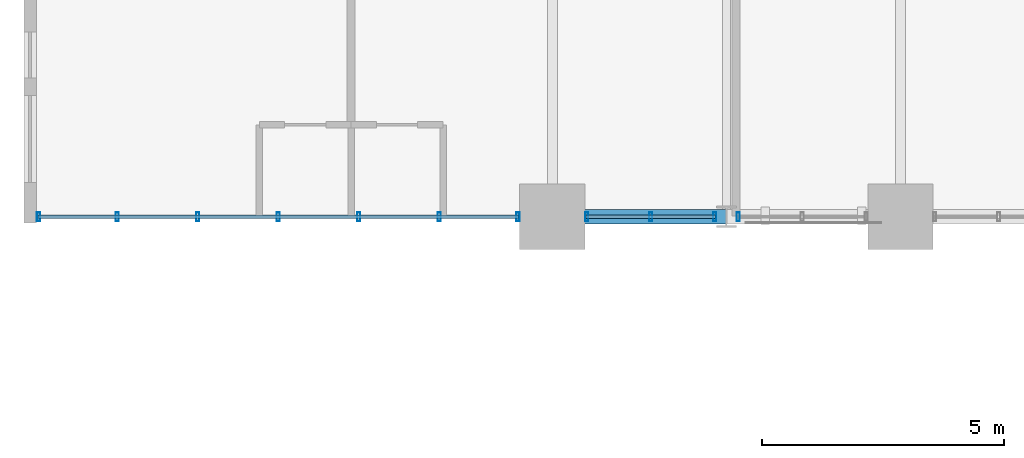
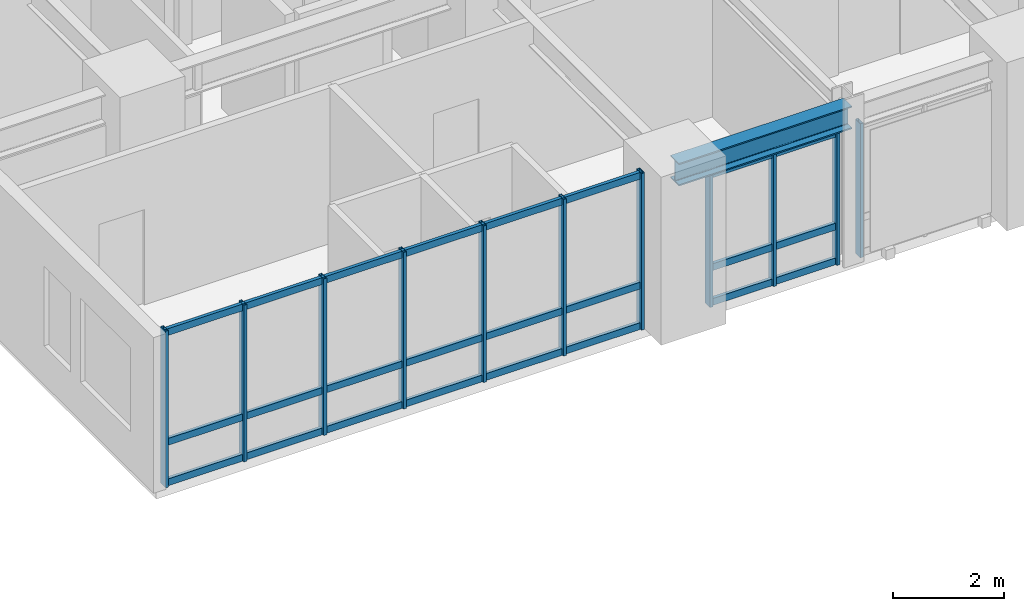
# One storey, part 2 of 16: 17 members, 1 beam, 3 elements without a shape of their own.
"""IFC4 building model written with IfcOpenShell, lengths in metres."""

import ifcopenshell
import ifcopenshell.guid

model = None  # the IFC model being written
_history = None  # IfcOwnerHistory: only IFC2X3 demands one
_inside = {}  # id of a spatial element -> (the spatial element, [elements in it])
_under = {}  # id of a project, library or spatial element -> (it, [spatial elements below it])
_declared = {}  # id of a project -> (the project, [libraries it declares])
_typed = {}  # id of a type object -> (the type object, [elements of that type])
_made_of = {}  # id of a material, layer set ... -> (it, [elements and type objects made of it])


def new_model(schema):
    """Start an empty IFC model of exactly this schema.

    Asked for "IFC4X3", IfcOpenShell would pick the latest addendum, in which some entities
    have other attributes; the version numbers below select the first issue.
    IFC2X3 requires an IfcOwnerHistory on every rooted entity: one is made here for all.
    """
    global model, _history
    if schema == "IFC4X3":
        model = ifcopenshell.file(schema_version=(4, 3, 0, 0))
    else:
        model = ifcopenshell.file(schema=schema)
    _inside.clear()
    _under.clear()
    _declared.clear()
    _typed.clear()
    _made_of.clear()
    _history = None
    if model.schema == "IFC2X3":
        org = make("IfcOrganization", Name="unknown")
        user = make(
            "IfcPersonAndOrganization",
            ThePerson=make("IfcPerson", FamilyName="unknown"),
            TheOrganization=org,
        )
        app = make(
            "IfcApplication",
            ApplicationDeveloper=org,
            Version="unknown",
            ApplicationFullName="unknown",
            ApplicationIdentifier="unknown",
        )
        _history = make(
            "IfcOwnerHistory",
            OwningUser=user,
            OwningApplication=app,
            ChangeAction="ADDED",
            CreationDate=0,
        )
    return model


def make(cls, **values):
    """One entity of the class cls with the attributes given. An attribute that is None is left unset."""
    return model.create_entity(
        cls, **{name: value for name, value in values.items() if value is not None}
    )


def rooted(cls, **values):
    """An entity with a GlobalId (a new one), such as an element, a storey or a relation."""
    return make(cls, GlobalId=ifcopenshell.guid.new(), OwnerHistory=_history, **values)


def si_unit(unit_type, name, prefix=None):
    """IfcSIUnit, for example si_unit("LENGTHUNIT", "METRE", prefix="MILLI")."""
    return make("IfcSIUnit", UnitType=unit_type, Prefix=prefix, Name=name)


def assignment(units):
    """IfcUnitAssignment: the units of a project."""
    return None if units is None else make("IfcUnitAssignment", Units=units)


def point(xyz):
    """IfcCartesianPoint."""
    return None if xyz is None else make("IfcCartesianPoint", Coordinates=xyz)


def direction(xyz):
    """IfcDirection."""
    return None if xyz is None else make("IfcDirection", DirectionRatios=xyz)


def frame(location, z_axis=None, x_axis=None):
    """IfcAxis2Placement3D, a coordinate frame: its origin and axes. An axis left out is left unset."""
    return make(
        "IfcAxis2Placement3D",
        Location=point(location),
        Axis=direction(z_axis),
        RefDirection=direction(x_axis),
    )


def frame_2d(location, x_axis=None):
    """IfcAxis2Placement2D, a coordinate frame in the plane: its origin and x axis."""
    return make(
        "IfcAxis2Placement2D", Location=point(location), RefDirection=direction(x_axis)
    )


def origin():
    """The frame at (0, 0, 0) with its axes left unset."""
    return frame((0.0, 0.0, 0.0))


def origin_2d():
    """The frame at (0, 0) in the plane with its x axis left unset."""
    return frame_2d((0.0, 0.0))


def place(relative_to, where):
    """IfcLocalPlacement: puts the frame where relative to a parent placement (None: the world)."""
    return make(
        "IfcLocalPlacement", PlacementRelTo=relative_to, RelativePlacement=where
    )


def context(
    kind, dimensions, precision=None, world=None, true_north=None, identifier=None
):
    """IfcGeometricRepresentationContext, for example the 3D "Model" context."""
    return make(
        "IfcGeometricRepresentationContext",
        ContextIdentifier=identifier,
        ContextType=kind,
        CoordinateSpaceDimension=dimensions,
        Precision=precision,
        WorldCoordinateSystem=world,
        TrueNorth=true_north,
    )


def subcontext(parent, identifier, kind, view, scale=None):
    """IfcGeometricRepresentationSubContext, for example "Body" below "Model"."""
    return make(
        "IfcGeometricRepresentationSubContext",
        ContextIdentifier=identifier,
        ContextType=kind,
        ParentContext=parent,
        TargetScale=scale,
        TargetView=view,
    )


def project(units=None, contexts=None):
    """IfcProject with its units and contexts."""
    return rooted(
        "IfcProject",
        Name="project",
        RepresentationContexts=contexts,
        UnitsInContext=assignment(units),
    )


def spatial(cls, under=None, at=None, **own):
    """A site, building, storey or space (cls), placed at a placement, below another one or the project."""
    s = rooted(cls, ObjectPlacement=at, **own)
    if under is not None:
        _under.setdefault(under.id(), (under, []))[1].append(s)
    return s


def profile(cls, at=None, kind="AREA", **sizes):
    """A parametric profile (cls). Its sizes go by their IFC names, for example OverallWidth=200.0."""
    return make(cls, ProfileType=kind, Position=at, **sizes)


def hollow_rectangle(**sizes):
    """IfcRectangleHollowProfileDef."""
    return profile("IfcRectangleHollowProfileDef", **sizes)


def i_section(**sizes):
    """IfcIShapeProfileDef."""
    return profile("IfcIShapeProfileDef", **sizes)


def extrude(swept, where, along, depth):
    """IfcExtrudedAreaSolid: the profile swept, set in the frame where, extruded along a direction by depth."""
    return make(
        "IfcExtrudedAreaSolid",
        SweptArea=swept,
        Position=where,
        ExtrudedDirection=direction(along),
        Depth=depth,
    )


def shape(context_of_items, identifier, shape_type, items):
    """IfcShapeRepresentation: the items that make up one representation, for example the "Body"."""
    return make(
        "IfcShapeRepresentation",
        ContextOfItems=context_of_items,
        RepresentationIdentifier=identifier,
        RepresentationType=shape_type,
        Items=items,
    )


def source(mapping_origin, context_of_items, identifier, shape_type, items):
    """IfcRepresentationMap: a shape defined once, which mapped items show again and again."""
    return make(
        "IfcRepresentationMap",
        MappingOrigin=mapping_origin,
        MappedRepresentation=shape(context_of_items, identifier, shape_type, items),
    )


def transform(
    local_origin,
    x_axis=None,
    y_axis=None,
    z_axis=None,
    scale=None,
    scale2=None,
    scale3=None,
    uniform=True,
):
    """IfcCartesianTransformationOperator3D, or its non-uniform kind. x_axis, y_axis, z_axis: its Axis1, 2, 3."""
    if uniform:
        return make(
            "IfcCartesianTransformationOperator3D",
            Axis1=direction(x_axis),
            Axis2=direction(y_axis),
            LocalOrigin=point(local_origin),
            Scale=scale,
            Axis3=direction(z_axis),
        )
    return make(
        "IfcCartesianTransformationOperator3DnonUniform",
        Axis1=direction(x_axis),
        Axis2=direction(y_axis),
        LocalOrigin=point(local_origin),
        Scale=scale,
        Axis3=direction(z_axis),
        Scale2=scale2,
        Scale3=scale3,
    )


def mapped(mapping_source, mapping_target):
    """IfcMappedItem: shows the shape of a source again, moved by a transform."""
    return make(
        "IfcMappedItem", MappingSource=mapping_source, MappingTarget=mapping_target
    )


def material(Name=None, Category=None):
    """IfcMaterial."""
    return make("IfcMaterial", Name=Name, Category=Category)


def layer(
    of_material, thickness, ventilated=None, Name=None, Category=None, Priority=None
):
    """IfcMaterialLayer: one layer of a wall or slab, of a material (None: an air gap)."""
    return make(
        "IfcMaterialLayer",
        Material=of_material,
        LayerThickness=thickness,
        IsVentilated=ventilated,
        Name=Name,
        Category=Category,
        Priority=Priority,
    )


def layer_set(layers, Name=None):
    """IfcMaterialLayerSet."""
    return make("IfcMaterialLayerSet", MaterialLayers=layers, LayerSetName=Name)


def material_profile(
    of_material, cross_section, Name=None, Category=None, Priority=None
):
    """IfcMaterialProfile: a cross section and its material."""
    return make(
        "IfcMaterialProfile",
        Name=Name,
        Material=of_material,
        Profile=cross_section,
        Priority=Priority,
        Category=Category,
    )


def profile_set(profiles, Name=None, composite=None):
    """IfcMaterialProfileSet."""
    return make(
        "IfcMaterialProfileSet",
        Name=Name,
        MaterialProfiles=profiles,
        CompositeProfile=composite,
    )


def made_of(thing, what):
    """Note that an element or type object is made of a material, layer set ...; save() writes the relation."""
    if what is not None:
        _made_of.setdefault(what.id(), (what, []))[1].append(thing)
    return thing


def type_object(cls, material=None, **own):
    """A type object (cls), such as IfcWallType, which elements share."""
    return made_of(rooted(cls, **own), material)


def element(
    cls,
    number,
    at=None,
    inside=None,
    cuts=None,
    type_object=None,
    material=None,
    context=None,
    identifier="Body",
    shape_type=None,
    held_by="IfcProductDefinitionShape",
    body=None,
    shapes=None,
    **own,
):
    """One element of the class cls, such as IfcWall. Its Tag is "e" and its number.

    at: its placement. inside: the storey or other place that contains it. cuts: it is an
    opening in that element (IfcRelVoidsElement). A single representation is given by context,
    identifier, shape_type and body (its items); several are given by shapes. held_by: the class
    of the entity that holds the representations. save() writes the other relations.
    """
    e = rooted(cls, Tag="e%d" % number, ObjectPlacement=at, **own)
    if body is not None:
        shapes = [shape(context, identifier, shape_type, body)]
    if shapes is not None:
        e.Representation = make(held_by, Representations=shapes)
    if inside is not None:
        _inside.setdefault(inside.id(), (inside, []))[1].append(e)
    if cuts is not None:
        rooted(
            "IfcRelVoidsElement", RelatingBuildingElement=cuts, RelatedOpeningElement=e
        )
    if type_object is not None:
        _typed.setdefault(type_object.id(), (type_object, []))[1].append(e)
    return made_of(e, material)


def aggregate(whole, parts):
    """IfcRelAggregates: a whole, such as a stair, and the parts it consists of."""
    return rooted("IfcRelAggregates", RelatingObject=whole, RelatedObjects=parts)


def save(model, path):
    """Write the relations noted so far, then the file.

    IfcRelAggregates (storeys below a building ...), IfcRelContainedInSpatialStructure (elements
    in a storey), IfcRelDefinesByType, IfcRelAssociatesMaterial and IfcRelDeclares: one each for
    every whole, place, type object, material and project.
    """
    for whole, parts in _under.values():
        aggregate(whole, parts)
    for where, things in _inside.values():
        rooted(
            "IfcRelContainedInSpatialStructure",
            RelatedElements=things,
            RelatingStructure=where,
        )
    for kind, things in _typed.values():
        rooted("IfcRelDefinesByType", RelatedObjects=things, RelatingType=kind)
    for what, things in _made_of.values():
        rooted("IfcRelAssociatesMaterial", RelatedObjects=things, RelatingMaterial=what)
    for by, libraries in _declared.values():
        rooted("IfcRelDeclares", RelatingContext=by, RelatedDefinitions=libraries)
    model.write(path)


model = new_model("IFC4")

# Units and contexts
model_context = context("Model", 3, precision=1e-05, world=origin(), true_north=direction((0.0, 1.0)))
body_context = subcontext(model_context, "Body", "Model", "MODEL_VIEW")
ifc_project = project(units=[si_unit("LENGTHUNIT", "METRE"), si_unit("AREAUNIT", "SQUARE_METRE"), si_unit("VOLUMEUNIT", "CUBIC_METRE"), si_unit("PLANEANGLEUNIT", "RADIAN"), si_unit("MASSUNIT", "GRAM", prefix="KILO")], contexts=[model_context])

# Site, building, storey
site_placement = place(None, origin())
site = spatial("IfcSite", under=ifc_project, at=site_placement, CompositionType="ELEMENT")
building_placement = place(site_placement, origin())
building = spatial("IfcBuilding", under=site, at=building_placement, Name="Kaliganga Portal Commons", CompositionType="ELEMENT")
storey_placement = place(building_placement, frame((0.0, 0.0, 29.0)))
storey = spatial("IfcBuildingStorey", under=building, at=storey_placement, Name="L06", CompositionType="ELEMENT", Elevation=29.0)

# Beam
ifc_material_1 = material(Name="Structural steel S355J2", Category="steel")
ifc_material_profile_1 = material_profile(ifc_material_1, i_section(OverallWidth=0.300048828125, OverallDepth=0.5, WebThickness=0.014404296875, FlangeThickness=0.028076171875, FilletRadius=0.027099609375, at=origin_2d()), Name="HE 500 B")
ifc_profile_set_1 = profile_set([ifc_material_profile_1], Name="Structural steel S355J2 wide-flange")
beam_type = type_object("IfcBeamType", Name="BM-SPAND-500", PredefinedType="SPANDREL", material=ifc_profile_set_1)
shared_shape_1 = source(origin(), body_context, "Body", "SweptSolid", [
    extrude(i_section(OverallWidth=0.300048828125, OverallDepth=0.5, WebThickness=0.014404296875, FlangeThickness=0.028076171875, FilletRadius=0.027099609375, at=origin_2d()), origin(), (0.0, 0.0, 1.0), 3.60009765625),
])
beam_placement = place(storey_placement, frame((14.39990234375, 21.60009765625, 3.199951171875), z_axis=(1.0, 0.0, 0.0), x_axis=(0.0, 1.0, 0.0)))
element("IfcBeam", 1, at=beam_placement, inside=storey, type_object=beam_type, Name="BM SP L06 AS 1", PredefinedType="SPANDREL", context=body_context, shape_type="MappedRepresentation", body=[
    mapped(shared_shape_1, transform((0.0, 0.0, 0.0), x_axis=(1.0, 0.0, 0.0), y_axis=(0.0, 1.0, 0.0), z_axis=(0.0, 0.0, 1.0), scale=1.0)),
])

# Curtain wall, members
ifc_material_2 = material(Name="Anodized Aluminium and Laminated Low-E Glass", Category="aluminium")
ifc_layer = layer(ifc_material_2, 0.2099609375)
ifc_layer_set = layer_set([ifc_layer], Name="Anodized Aluminium and Laminated Low-E Glass")
curtain_wall_type = type_object("IfcCurtainWallType", Name="CW-SYS-03", PredefinedType="NOTDEFINED", material=ifc_layer_set)
curtain_wall_1_placement = place(storey_placement, origin())
curtain_wall_1 = element("IfcCurtainWall", 2, at=curtain_wall_1_placement, inside=storey, type_object=curtain_wall_type, Name="CW 03 L06 P1E04S1", PredefinedType="NOTDEFINED")
ifc_material_3 = material(Name="Dark Bronze Anodized Aluminium", Category="aluminium")
ifc_material_profile_2 = material_profile(ifc_material_3, hollow_rectangle(XDim=0.06494140625, YDim=0.179931640625, WallThickness=0.00390625, at=origin_2d()), Name="ALU MULL 65x180x4")
ifc_profile_set_2 = profile_set([ifc_material_profile_2], Name="Dark Bronze Anodized Aluminium")
member_type_1 = type_object("IfcMemberType", Name="CW-MUL-180", PredefinedType="MULLION", material=ifc_profile_set_2)
shared_shape_2 = source(origin(), body_context, "Body", "SweptSolid", [
    extrude(hollow_rectangle(XDim=0.06494140625, YDim=0.179931640625, WallThickness=0.00390625, at=origin_2d()), origin(), (0.0, 0.0, 1.0), 3.449951171875),
])
member_1_placement = place(storey_placement, frame((3.77490234375, 21.60009765625, 0.0), z_axis=(0.0, 0.0, 1.0), x_axis=(1.0, 0.0, 0.0)))
member_1 = element("IfcMember", 3, at=member_1_placement, type_object=member_type_1, Name="CW:03:L06:P1E04S1 Mullion 00", PredefinedType="MULLION", context=body_context, shape_type="MappedRepresentation", body=[
    mapped(shared_shape_2, transform((0.0, 0.0, 0.0), x_axis=(1.0, 0.0, 0.0), y_axis=(0.0, 1.0, 0.0), z_axis=(0.0, 0.0, 1.0), scale=1.0)),
])
member_2_placement = place(storey_placement, frame((5.404052734375, 21.60009765625, 0.0), z_axis=(0.0, 0.0, 1.0), x_axis=(1.0, 0.0, 0.0)))
member_2 = element("IfcMember", 4, at=member_2_placement, type_object=member_type_1, Name="CW:03:L06:P1E04S1 Mullion 01", PredefinedType="MULLION", context=body_context, shape_type="MappedRepresentation", body=[
    mapped(shared_shape_2, transform((0.0, 0.0, 0.0), x_axis=(1.0, 0.0, 0.0), y_axis=(0.0, 1.0, 0.0), z_axis=(0.0, 0.0, 1.0), scale=1.0)),
])
member_3_placement = place(storey_placement, frame((7.068115234375, 21.60009765625, 0.0), z_axis=(0.0, 0.0, 1.0), x_axis=(1.0, 0.0, 0.0)))
member_3 = element("IfcMember", 5, at=member_3_placement, type_object=member_type_1, Name="CW:03:L06:P1E04S1 Mullion 02", PredefinedType="MULLION", context=body_context, shape_type="MappedRepresentation", body=[
    mapped(shared_shape_2, transform((0.0, 0.0, 0.0), x_axis=(1.0, 0.0, 0.0), y_axis=(0.0, 1.0, 0.0), z_axis=(0.0, 0.0, 1.0), scale=1.0)),
])
member_4_placement = place(storey_placement, frame((8.73193359375, 21.60009765625, 0.0), z_axis=(0.0, 0.0, 1.0), x_axis=(1.0, 0.0, 0.0)))
member_4 = element("IfcMember", 6, at=member_4_placement, type_object=member_type_1, Name="CW:03:L06:P1E04S1 Mullion 03", PredefinedType="MULLION", context=body_context, shape_type="MappedRepresentation", body=[
    mapped(shared_shape_2, transform((0.0, 0.0, 0.0), x_axis=(1.0, 0.0, 0.0), y_axis=(0.0, 1.0, 0.0), z_axis=(0.0, 0.0, 1.0), scale=1.0)),
])
member_5_placement = place(storey_placement, frame((10.39599609375, 21.60009765625, 0.0), z_axis=(0.0, 0.0, 1.0), x_axis=(1.0, 0.0, 0.0)))
member_5 = element("IfcMember", 7, at=member_5_placement, type_object=member_type_1, Name="CW:03:L06:P1E04S1 Mullion 04", PredefinedType="MULLION", context=body_context, shape_type="MappedRepresentation", body=[
    mapped(shared_shape_2, transform((0.0, 0.0, 0.0), x_axis=(1.0, 0.0, 0.0), y_axis=(0.0, 1.0, 0.0), z_axis=(0.0, 0.0, 1.0), scale=1.0)),
])
member_6_placement = place(storey_placement, frame((12.06005859375, 21.60009765625, 0.0), z_axis=(0.0, 0.0, 1.0), x_axis=(1.0, 0.0, 0.0)))
member_6 = element("IfcMember", 8, at=member_6_placement, type_object=member_type_1, Name="CW:03:L06:P1E04S1 Mullion 05", PredefinedType="MULLION", context=body_context, shape_type="MappedRepresentation", body=[
    mapped(shared_shape_2, transform((0.0, 0.0, 0.0), x_axis=(1.0, 0.0, 0.0), y_axis=(0.0, 1.0, 0.0), z_axis=(0.0, 0.0, 1.0), scale=1.0)),
])
member_7_placement = place(storey_placement, frame((13.68896484375, 21.60009765625, 0.0), z_axis=(0.0, 0.0, 1.0), x_axis=(1.0, 0.0, 0.0)))
member_7 = element("IfcMember", 9, at=member_7_placement, type_object=member_type_1, Name="CW:03:L06:P1E04S1 Mullion 06", PredefinedType="MULLION", context=body_context, shape_type="MappedRepresentation", body=[
    mapped(shared_shape_2, transform((0.0, 0.0, 0.0), x_axis=(1.0, 0.0, 0.0), y_axis=(0.0, 1.0, 0.0), z_axis=(0.0, 0.0, 1.0), scale=1.0)),
])
ifc_material_profile_3 = material_profile(ifc_material_3, hollow_rectangle(XDim=0.070068359375, YDim=0.14990234375, WallThickness=0.00341796875, at=origin_2d()), Name="ALU TRAN 70x150x3.5")
ifc_profile_set_3 = profile_set([ifc_material_profile_3], Name="Dark Bronze Anodized Aluminium")
member_type_2 = type_object("IfcMemberType", Name="CW-TRN-150", PredefinedType="USERDEFINED", material=ifc_profile_set_3)
shared_shape_3 = source(origin(), body_context, "Body", "SweptSolid", [
    extrude(hollow_rectangle(XDim=0.070068359375, YDim=0.14990234375, WallThickness=0.00341796875, at=origin_2d()), origin(), (0.0, 0.0, 1.0), 9.944091796875),
])
member_8_placement = place(storey_placement, frame((3.760009765625, 21.60009765625, 0.06005859375), z_axis=(1.0, 0.0, 0.0), x_axis=(0.0, 1.0, 0.0)))
member_8 = element("IfcMember", 10, at=member_8_placement, type_object=member_type_2, Name="CW:03:L06:P1E04S1 Transom 1", ObjectType="TRANSOM", PredefinedType="USERDEFINED", context=body_context, shape_type="MappedRepresentation", body=[
    mapped(shared_shape_3, transform((0.0, 0.0, 0.0), x_axis=(1.0, 0.0, 0.0), y_axis=(0.0, 1.0, 0.0), z_axis=(0.0, 0.0, 1.0), scale=1.0)),
])
member_9_placement = place(storey_placement, frame((3.760009765625, 21.60009765625, 0.949951171875), z_axis=(1.0, 0.0, 0.0), x_axis=(0.0, 1.0, 0.0)))
member_9 = element("IfcMember", 11, at=member_9_placement, type_object=member_type_2, Name="CW:03:L06:P1E04S1 Transom 2", ObjectType="TRANSOM", PredefinedType="USERDEFINED", context=body_context, shape_type="MappedRepresentation", body=[
    mapped(shared_shape_3, transform((0.0, 0.0, 0.0), x_axis=(1.0, 0.0, 0.0), y_axis=(0.0, 1.0, 0.0), z_axis=(0.0, 0.0, 1.0), scale=1.0)),
])
member_10_placement = place(storey_placement, frame((3.760009765625, 21.60009765625, 3.3701171875), z_axis=(1.0, 0.0, 0.0), x_axis=(0.0, 1.0, 0.0)))
member_10 = element("IfcMember", 12, at=member_10_placement, type_object=member_type_2, Name="CW:03:L06:P1E04S1 Transom 3", ObjectType="TRANSOM", PredefinedType="USERDEFINED", context=body_context, shape_type="MappedRepresentation", body=[
    mapped(shared_shape_3, transform((0.0, 0.0, 0.0), x_axis=(1.0, 0.0, 0.0), y_axis=(0.0, 1.0, 0.0), z_axis=(0.0, 0.0, 1.0), scale=1.0)),
])
aggregate(curtain_wall_1, [member_1, member_2, member_3, member_4, member_5, member_6, member_7, member_8, member_9, member_10])

curtain_wall_2_placement = place(storey_placement, origin())
curtain_wall_2 = element("IfcCurtainWall", 13, at=curtain_wall_2_placement, inside=storey, type_object=curtain_wall_type, Name="CW 03 L06 P1E04S2", PredefinedType="NOTDEFINED")
shared_shape_4 = source(origin(), body_context, "Body", "SweptSolid", [
    extrude(hollow_rectangle(XDim=0.06494140625, YDim=0.179931640625, WallThickness=0.00390625, at=origin_2d()), origin(), (0.0, 0.0, 1.0), 2.949951171875),
])
member_11_placement = place(storey_placement, frame((15.111083984375, 21.60009765625, 0.0), z_axis=(0.0, 0.0, 1.0), x_axis=(1.0, 0.0, 0.0)))
member_11 = element("IfcMember", 14, at=member_11_placement, type_object=member_type_1, Name="CW:03:L06:P1E04S2 Mullion 00", PredefinedType="MULLION", context=body_context, shape_type="MappedRepresentation", body=[
    mapped(shared_shape_4, transform((0.0, 0.0, 0.0), x_axis=(1.0, 0.0, 0.0), y_axis=(0.0, 1.0, 0.0), z_axis=(0.0, 0.0, 1.0), scale=1.0)),
])
member_12_placement = place(storey_placement, frame((16.43359375, 21.60009765625, 0.0), z_axis=(0.0, 0.0, 1.0), x_axis=(1.0, 0.0, 0.0)))
member_12 = element("IfcMember", 15, at=member_12_placement, type_object=member_type_1, Name="CW:03:L06:P1E04S2 Mullion 01", PredefinedType="MULLION", context=body_context, shape_type="MappedRepresentation", body=[
    mapped(shared_shape_4, transform((0.0, 0.0, 0.0), x_axis=(1.0, 0.0, 0.0), y_axis=(0.0, 1.0, 0.0), z_axis=(0.0, 0.0, 1.0), scale=1.0)),
])
member_13_placement = place(storey_placement, frame((17.756103515625, 21.60009765625, 0.0), z_axis=(0.0, 0.0, 1.0), x_axis=(1.0, 0.0, 0.0)))
member_13 = element("IfcMember", 16, at=member_13_placement, type_object=member_type_1, Name="CW:03:L06:P1E04S2 Mullion 02", PredefinedType="MULLION", context=body_context, shape_type="MappedRepresentation", body=[
    mapped(shared_shape_4, transform((0.0, 0.0, 0.0), x_axis=(1.0, 0.0, 0.0), y_axis=(0.0, 1.0, 0.0), z_axis=(0.0, 0.0, 1.0), scale=1.0)),
])

# Curtain wall, member
curtain_wall_3_placement = place(storey_placement, origin())
curtain_wall_3 = element("IfcCurtainWall", 17, at=curtain_wall_3_placement, inside=storey, type_object=curtain_wall_type, Name="CW 03 L06 P1E04S3", PredefinedType="NOTDEFINED")
member_14_placement = place(storey_placement, frame((18.243896484375, 21.60009765625, 0.0), z_axis=(0.0, 0.0, 1.0), x_axis=(1.0, 0.0, 0.0)))
member_14 = element("IfcMember", 18, at=member_14_placement, type_object=member_type_1, Name="CW:03:L06:P1E04S3 Mullion 00", PredefinedType="MULLION", context=body_context, shape_type="MappedRepresentation", body=[
    mapped(shared_shape_4, transform((0.0, 0.0, 0.0), x_axis=(1.0, 0.0, 0.0), y_axis=(0.0, 1.0, 0.0), z_axis=(0.0, 0.0, 1.0), scale=1.0)),
])
aggregate(curtain_wall_3, [member_14])

# Member
shared_shape_5 = source(origin(), body_context, "Body", "SweptSolid", [
    extrude(hollow_rectangle(XDim=0.070068359375, YDim=0.14990234375, WallThickness=0.00341796875, at=origin_2d()), origin(), (0.0, 0.0, 1.0), 2.675048828125),
])
member_15_placement = place(storey_placement, frame((15.095947265625, 21.60009765625, 0.06005859375), z_axis=(1.0, 0.0, 0.0), x_axis=(0.0, 1.0, 0.0)))
member_15 = element("IfcMember", 19, at=member_15_placement, type_object=member_type_2, Name="CW:03:L06:P1E04S2 Transom 1", ObjectType="TRANSOM", PredefinedType="USERDEFINED", context=body_context, shape_type="MappedRepresentation", body=[
    mapped(shared_shape_5, transform((0.0, 0.0, 0.0), x_axis=(1.0, 0.0, 0.0), y_axis=(0.0, 1.0, 0.0), z_axis=(0.0, 0.0, 1.0), scale=1.0)),
])

member_16_placement = place(storey_placement, frame((15.095947265625, 21.60009765625, 0.825927734375), z_axis=(1.0, 0.0, 0.0), x_axis=(0.0, 1.0, 0.0)))
member_16 = element("IfcMember", 20, at=member_16_placement, type_object=member_type_2, Name="CW:03:L06:P1E04S2 Transom 2", ObjectType="TRANSOM", PredefinedType="USERDEFINED", context=body_context, shape_type="MappedRepresentation", body=[
    mapped(shared_shape_5, transform((0.0, 0.0, 0.0), x_axis=(1.0, 0.0, 0.0), y_axis=(0.0, 1.0, 0.0), z_axis=(0.0, 0.0, 1.0), scale=1.0)),
])

member_17_placement = place(storey_placement, frame((15.095947265625, 21.60009765625, 2.8701171875), z_axis=(1.0, 0.0, 0.0), x_axis=(0.0, 1.0, 0.0)))
member_17 = element("IfcMember", 21, at=member_17_placement, type_object=member_type_2, Name="CW:03:L06:P1E04S2 Transom 3", ObjectType="TRANSOM", PredefinedType="USERDEFINED", context=body_context, shape_type="MappedRepresentation", body=[
    mapped(shared_shape_5, transform((0.0, 0.0, 0.0), x_axis=(1.0, 0.0, 0.0), y_axis=(0.0, 1.0, 0.0), z_axis=(0.0, 0.0, 1.0), scale=1.0)),
])

aggregate(curtain_wall_2, [member_11, member_12, member_13, member_15, member_16, member_17])

save(model, "model.ifc")
